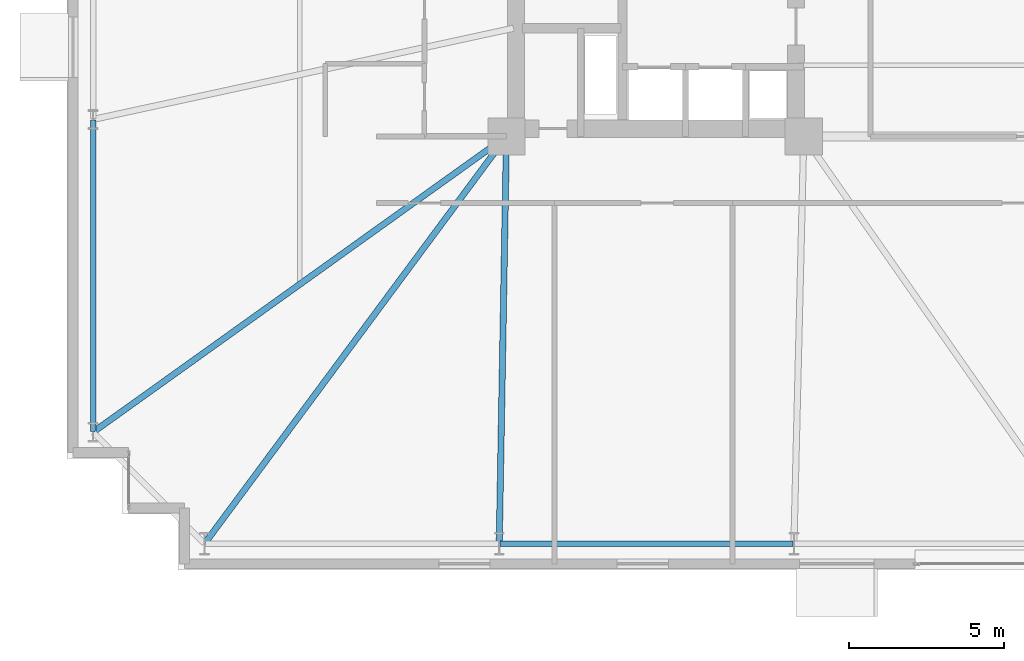
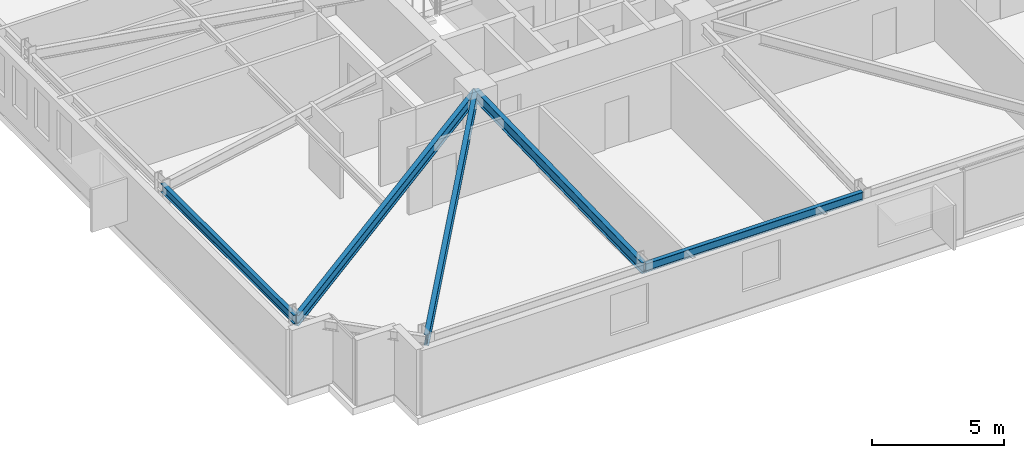
# One storey, part 5 of 26: 5 beams.
"""IFC4 building model written with IfcOpenShell, lengths in metres."""

from ifc_helpers import new_model, si_unit, direction, frame, origin, origin_2d, place, context, subcontext, project, spatial, i_section, extrude, material, material_profile, profile_set, type_object, element, save


model = new_model("IFC4")

# Units and contexts
model_context = context("Model", 3, precision=1e-05, world=origin(), true_north=direction((0.0, 1.0)))
body_context = subcontext(model_context, "Body", "Model", "MODEL_VIEW")
ifc_project = project(units=[si_unit("LENGTHUNIT", "METRE"), si_unit("AREAUNIT", "SQUARE_METRE"), si_unit("VOLUMEUNIT", "CUBIC_METRE"), si_unit("PLANEANGLEUNIT", "RADIAN"), si_unit("MASSUNIT", "GRAM", prefix="KILO")], contexts=[model_context])

# Site, building, storey
site_placement = place(None, origin())
site = spatial("IfcSite", under=ifc_project, at=site_placement, CompositionType="ELEMENT")
building_placement = place(site_placement, origin())
building = spatial("IfcBuilding", under=site, at=building_placement, Name="Qobustan Lattice House", CompositionType="ELEMENT")
storey_placement = place(building_placement, frame((0.0, 0.0, 47.10009765625)))
storey = spatial("IfcBuildingStorey", under=building, at=storey_placement, Name="L12", CompositionType="ELEMENT", Elevation=47.10009765625)

# Beams
ifc_material_1 = material(Name="Steel S355", Category="steel")
ifc_material_profile_1 = material_profile(ifc_material_1, i_section(OverallWidth=0.199951171875, OverallDepth=0.5, WebThickness=0.01025390625, FlangeThickness=0.01611328125, FilletRadius=0.02099609375, at=origin_2d()), Name="IPE500")
ifc_profile_set_1 = profile_set([ifc_material_profile_1], Name="Steel S355")
beam_type_1 = type_object("IfcBeamType", Name="BM-FLG-IPE500", PredefinedType="USERDEFINED", material=ifc_profile_set_1)
beam_1_placement = place(storey_placement, frame((-28.53515625, -18.72998046875, 2.784912109375), z_axis=(0.5955916815, 0.803287338956, 0.0), x_axis=(-0.803287338956, 0.5955916815, 0.0)))
element("IfcBeam", 1, at=beam_1_placement, inside=storey, type_object=beam_type_1, Name="L12 primary floor girder RAD-S1W", ObjectType="GIRDER", PredefinedType="USERDEFINED", context=body_context, shape_type="SweptSolid", body=[
    extrude(i_section(OverallWidth=0.199951171875, OverallDepth=0.5, WebThickness=0.01025390625, FlangeThickness=0.01611328125, FilletRadius=0.02099609375, at=origin_2d()), origin(), (0.0, 0.0, 1.0), 16.3203125),
])
beam_2_placement = place(storey_placement, frame((-19.032958984375, -18.72509765625, 2.784912109375), z_axis=(0.017757831607, 0.999842317276, 0.0), x_axis=(-0.999842317276, 0.017757831607, 0.0)))
element("IfcBeam", 2, at=beam_2_placement, inside=storey, type_object=beam_type_1, Name="L12 primary floor girder RAD-S2", ObjectType="GIRDER", PredefinedType="USERDEFINED", context=body_context, shape_type="SweptSolid", body=[
    extrude(i_section(OverallWidth=0.199951171875, OverallDepth=0.5, WebThickness=0.01025390625, FlangeThickness=0.01611328125, FilletRadius=0.02099609375, at=origin_2d()), origin(), (0.0, 0.0, 1.0), 13.10205078125),
])
beam_3_placement = place(storey_placement, frame((-32.129638671875, -15.135498046875, 2.784912109375), z_axis=(0.813318954893, 0.581818079481, 0.0), x_axis=(-0.581818079481, 0.813318954893, 0.0)))
element("IfcBeam", 3, at=beam_3_placement, inside=storey, type_object=beam_type_1, Name="L12 primary floor girder RAD-W4", ObjectType="GIRDER", PredefinedType="USERDEFINED", context=body_context, shape_type="SweptSolid", body=[
    extrude(i_section(OverallWidth=0.199951171875, OverallDepth=0.5, WebThickness=0.01025390625, FlangeThickness=0.01611328125, FilletRadius=0.02099609375, at=origin_2d()), origin(), (0.0, 0.0, 1.0), 16.3642578125),
])
ifc_material_2 = material(Name="Steel S355", Category="steel")
ifc_material_profile_2 = material_profile(ifc_material_2, i_section(OverallWidth=0.179931640625, OverallDepth=0.39990234375, WebThickness=0.008544921875, FlangeThickness=0.013427734375, FilletRadius=0.02099609375, at=origin_2d()), Name="IPE400")
ifc_profile_set_2 = profile_set([ifc_material_profile_2], Name="Steel S355")
beam_type_2 = type_object("IfcBeamType", Name="BM-SPD-IPE400", PredefinedType="SPANDREL", material=ifc_profile_set_2)
beam_4_placement = place(storey_placement, frame((-19.00830078125, -18.75, 2.8349609375), z_axis=(1.0, 0.0, 0.0), x_axis=(0.0, 1.0, 0.0)))
element("IfcBeam", 4, at=beam_4_placement, inside=storey, type_object=beam_type_2, Name="L12 perimeter spandrel S2-S3", PredefinedType="SPANDREL", context=body_context, shape_type="SweptSolid", body=[
    extrude(i_section(OverallWidth=0.179931640625, OverallDepth=0.39990234375, WebThickness=0.008544921875, FlangeThickness=0.013427734375, FilletRadius=0.02099609375, at=origin_2d()), origin(), (0.0, 0.0, 1.0), 9.466552734375),
])
beam_5_placement = place(storey_placement, frame((-32.14990234375, -5.074951171875, 2.8349609375), z_axis=(0.0, -1.0, 0.0), x_axis=(1.0, 0.0, 0.0)))
element("IfcBeam", 5, at=beam_5_placement, inside=storey, type_object=beam_type_2, Name="L12 perimeter spandrel W3-W4", PredefinedType="SPANDREL", context=body_context, shape_type="SweptSolid", body=[
    extrude(i_section(OverallWidth=0.179931640625, OverallDepth=0.39990234375, WebThickness=0.008544921875, FlangeThickness=0.013427734375, FilletRadius=0.02099609375, at=origin_2d()), origin(), (0.0, 0.0, 1.0), 10.050048828125),
])

save(model, "model.ifc")
